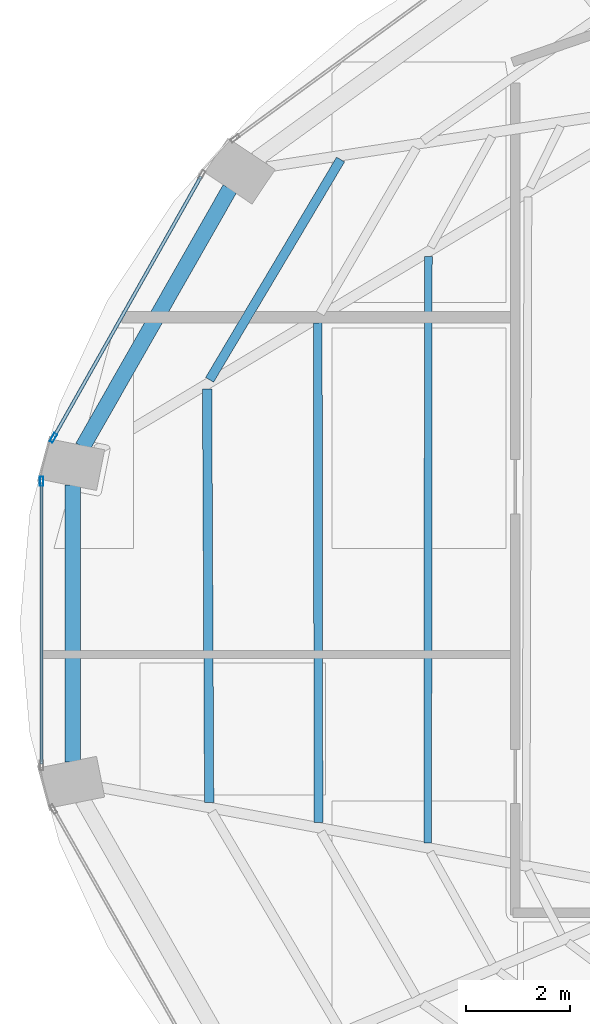
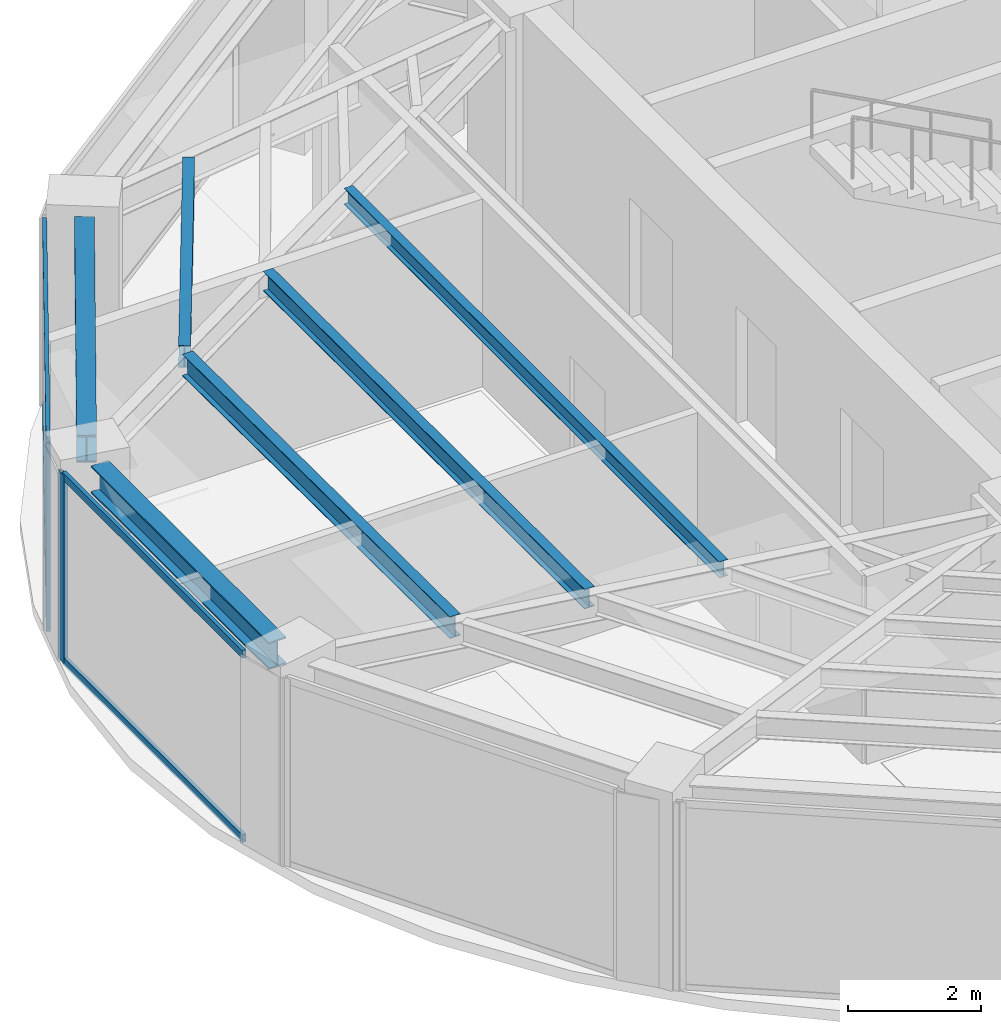
# One storey, part 8 of 23: 6 beams, 6 members, 2 elements without a shape of their own.
"""IFC4 building model written with IfcOpenShell, lengths in metres."""

from ifc_helpers import new_model, si_unit, direction, frame, origin, origin_2d, place, context, subcontext, project, spatial, hollow_rectangle, i_section, extrude, material, layer, layer_set, material_profile, profile_set, type_object, element, aggregate, save


model = new_model("IFC4")

# Units and contexts
model_context = context("Model", 3, precision=1e-05, world=origin(), true_north=direction((0.0, 1.0)))
body_context = subcontext(model_context, "Body", "Model", "MODEL_VIEW")
ifc_project = project(units=[si_unit("LENGTHUNIT", "METRE"), si_unit("AREAUNIT", "SQUARE_METRE"), si_unit("VOLUMEUNIT", "CUBIC_METRE"), si_unit("PLANEANGLEUNIT", "RADIAN"), si_unit("MASSUNIT", "GRAM", prefix="KILO")], contexts=[model_context])

# Site, building, storey
site_placement = place(None, origin())
site = spatial("IfcSite", under=ifc_project, at=site_placement, CompositionType="ELEMENT")
building_placement = place(site_placement, origin())
building = spatial("IfcBuilding", under=site, at=building_placement, Name="Lazwardi Medical Tower", CompositionType="ELEMENT")
storey_placement = place(building_placement, frame((0.0, 0.0, 262.320068359375)))
storey = spatial("IfcBuildingStorey", under=building, at=storey_placement, Name="L68", CompositionType="ELEMENT", Elevation=262.320068359375)

# Beams
ifc_material_1 = material(Name="Steel S355", Category="steel")
ifc_material_profile_1 = material_profile(ifc_material_1, i_section(OverallWidth=0.300048828125, OverallDepth=0.5, WebThickness=0.014404296875, FlangeThickness=0.028076171875, at=origin_2d()), Name="HEB 500")
ifc_profile_set_1 = profile_set([ifc_material_profile_1], Name="Steel S355")
beam_type_1 = type_object("IfcBeamType", Name="BM-RB-Z4", PredefinedType="BEAM", material=ifc_profile_set_1)
beam_1_placement = place(storey_placement, frame((17.84716796875, 33.983642578125, 3.197998046875), z_axis=(-0.495125273299, -0.868821594886, 0.0), x_axis=(0.868821594886, -0.495125273299, 0.0)))
element("IfcBeam", 1, at=beam_1_placement, inside=storey, type_object=beam_type_1, Name="Ring beam RB-05 B11 L68", PredefinedType="BEAM", context=body_context, shape_type="SweptSolid", body=[
    extrude(i_section(OverallWidth=0.300048828125, OverallDepth=0.5, WebThickness=0.014404296875, FlangeThickness=0.028076171875, at=origin_2d()), origin(), (0.0, 0.0, 1.0), 5.734130859375),
])
beam_2_placement = place(storey_placement, frame((14.81494140625, 28.27294921875, 3.197998046875), z_axis=(0.0, -1.0, 0.0), x_axis=(1.0, 0.0, 0.0)))
element("IfcBeam", 2, at=beam_2_placement, inside=storey, type_object=beam_type_1, Name="Ring beam RB-05 B12 L68", PredefinedType="BEAM", context=body_context, shape_type="SweptSolid", body=[
    extrude(i_section(OverallWidth=0.300048828125, OverallDepth=0.5, WebThickness=0.014404296875, FlangeThickness=0.028076171875, at=origin_2d()), origin(), (0.0, 0.0, 1.0), 5.345947265625),
])
ifc_material_profile_2 = material_profile(ifc_material_1, i_section(OverallWidth=0.179931640625, OverallDepth=0.39990234375, WebThickness=0.008544921875, FlangeThickness=0.013427734375, at=origin_2d()), Name="IPE 400")
ifc_profile_set_2 = profile_set([ifc_material_profile_2], Name="Steel S355")
beam_type_2 = type_object("IfcBeamType", Name="BM-SJ-01", PredefinedType="JOIST", material=ifc_profile_set_2)
beam_3_placement = place(storey_placement, frame((19.98095703125, 34.544921875, 3.248046875), z_axis=(-0.510967866251, -0.859599813668, 0.0), x_axis=(0.859599813668, -0.510967866251, 0.0)))
element("IfcBeam", 3, at=beam_3_placement, inside=storey, type_object=beam_type_2, Name="Secondary joist SJ-01 R1 B11 L68", PredefinedType="JOIST", context=body_context, shape_type="SweptSolid", body=[
    extrude(i_section(OverallWidth=0.179931640625, OverallDepth=0.39990234375, WebThickness=0.008544921875, FlangeThickness=0.013427734375, at=origin_2d()), origin(), (0.0, 0.0, 1.0), 4.94189453125),
])
beam_4_placement = place(storey_placement, frame((17.407958984375, 30.120361328125, 3.248046875), z_axis=(0.004929366644, -0.999987850598, 0.0), x_axis=(0.999987850598, 0.004929366644, 0.0)))
element("IfcBeam", 4, at=beam_4_placement, inside=storey, type_object=beam_type_2, Name="Secondary joist SJ-01 R1 B12 L68", PredefinedType="JOIST", context=body_context, shape_type="SweptSolid", body=[
    extrude(i_section(OverallWidth=0.179931640625, OverallDepth=0.39990234375, WebThickness=0.008544921875, FlangeThickness=0.013427734375, at=origin_2d()), origin(), (0.0, 0.0, 1.0), 7.973876953125),
])
ifc_material_profile_3 = material_profile(ifc_material_1, i_section(OverallWidth=0.169921875, OverallDepth=0.360107421875, WebThickness=0.008056640625, FlangeThickness=0.0126953125, at=origin_2d()), Name="IPE 360")
ifc_profile_set_3 = profile_set([ifc_material_profile_3], Name="Steel S355")
beam_type_3 = type_object("IfcBeamType", Name="BM-SJ-02", PredefinedType="JOIST", material=ifc_profile_set_3)
beam_5_placement = place(storey_placement, frame((19.541015625, 31.397705078125, 3.267822265625), z_axis=(0.001367606673, -0.999999064826, 0.0), x_axis=(0.999999064826, 0.001367606673, 0.0)))
element("IfcBeam", 5, at=beam_5_placement, inside=storey, type_object=beam_type_3, Name="Secondary joist SJ-02 R2 B12 L68", PredefinedType="JOIST", context=body_context, shape_type="SweptSolid", body=[
    extrude(i_section(OverallWidth=0.169921875, OverallDepth=0.360107421875, WebThickness=0.008056640625, FlangeThickness=0.0126953125, at=origin_2d()), origin(), (0.0, 0.0, 1.0), 9.639892578125),
])
ifc_material_profile_4 = material_profile(ifc_material_1, i_section(OverallWidth=0.14990234375, OverallDepth=0.300048828125, WebThickness=0.007080078125, FlangeThickness=0.0107421875, at=origin_2d()), Name="IPE 300")
ifc_profile_set_4 = profile_set([ifc_material_profile_4], Name="Steel S355")
beam_type_4 = type_object("IfcBeamType", Name="BM-SJ-03", PredefinedType="JOIST", material=ifc_profile_set_4)
beam_6_placement = place(storey_placement, frame((21.674072265625, 32.67529296875, 3.2978515625), z_axis=(-0.001166079235, -0.999999320129, 0.0), x_axis=(0.999999320129, -0.001166079235, 0.0)))
element("IfcBeam", 6, at=beam_6_placement, inside=storey, type_object=beam_type_4, Name="Secondary joist SJ-03 R3 B12 L68", PredefinedType="JOIST", context=body_context, shape_type="SweptSolid", body=[
    extrude(i_section(OverallWidth=0.14990234375, OverallDepth=0.300048828125, WebThickness=0.007080078125, FlangeThickness=0.0107421875, at=origin_2d()), origin(), (0.0, 0.0, 1.0), 11.305908203125),
])

# Curtain wall, member
ifc_material_2 = material(Name="Anodised bronze aluminium and solar control glazing", Category="aluminium")
ifc_layer = layer(ifc_material_2, 0.18994140625)
ifc_layer_set = layer_set([ifc_layer], Name="Anodised bronze aluminium and solar control glazing")
curtain_wall_type = type_object("IfcCurtainWallType", Name="CW-SYS-04", PredefinedType="NOTDEFINED", material=ifc_layer_set)
curtain_wall_1_placement = place(storey_placement, origin())
curtain_wall_1 = element("IfcCurtainWall", 7, at=curtain_wall_1_placement, inside=storey, type_object=curtain_wall_type, Name="L68 Unitised bronze curtain wall CW-04", PredefinedType="NOTDEFINED")
ifc_material_3 = material(Name="Anodised bronze aluminium", Category="aluminium")
ifc_material_profile_5 = material_profile(ifc_material_3, hollow_rectangle(XDim=0.06494140625, YDim=0.179931640625, WallThickness=0.00390625, at=origin_2d()), Name="ALU-MULLION 180x65x4")
ifc_profile_set_5 = profile_set([ifc_material_profile_5], Name="Anodised bronze aluminium")
member_type_1 = type_object("IfcMemberType", Name="CW-MUL-03", PredefinedType="MULLION", material=ifc_profile_set_5)
member_1_placement = place(storey_placement, frame((14.442626953125, 29.17822265625, 0.0), z_axis=(0.0, 0.0, 1.0), x_axis=(0.870651436011, -0.491900474661, 0.0)))
member_1 = element("IfcMember", 8, at=member_1_placement, type_object=member_type_1, Name="CW-04 mullion 2", PredefinedType="MULLION", context=body_context, shape_type="SweptSolid", body=[
    extrude(hollow_rectangle(XDim=0.06494140625, YDim=0.179931640625, WallThickness=0.00390625, at=origin_2d()), origin(), (0.0, 0.0, 1.0), 3.447998046875),
])

curtain_wall_2_placement = place(storey_placement, origin())
curtain_wall_2 = element("IfcCurtainWall", 9, at=curtain_wall_2_placement, inside=storey, type_object=curtain_wall_type, Name="L68 Unitised bronze curtain wall CW-04", PredefinedType="NOTDEFINED")
member_2_placement = place(storey_placement, frame((14.2158203125, 28.340576171875, 0.0), z_axis=(0.0, 0.0, 1.0), x_axis=(1.0, 0.0, 0.0)))
member_2 = element("IfcMember", 10, at=member_2_placement, type_object=member_type_1, Name="CW-04 mullion 1", PredefinedType="MULLION", context=body_context, shape_type="SweptSolid", body=[
    extrude(hollow_rectangle(XDim=0.06494140625, YDim=0.179931640625, WallThickness=0.00390625, at=origin_2d()), origin(), (0.0, 0.0, 1.0), 3.447998046875),
])

# Member
ifc_material_profile_6 = material_profile(ifc_material_3, hollow_rectangle(XDim=0.06494140625, YDim=0.139892578125, WallThickness=0.00341796875, at=origin_2d()), Name="ALU-TRANSOM 140x65x3.5")
ifc_profile_set_6 = profile_set([ifc_material_profile_6], Name="Anodised bronze aluminium")
member_type_2 = type_object("IfcMemberType", Name="CW-TRN-03", PredefinedType="USERDEFINED", material=ifc_profile_set_6)
member_3_placement = place(storey_placement, frame((17.28955078125, 34.21728515625, 0.032470703125), z_axis=(-0.491879719484, -0.87066316194, 0.0), x_axis=(0.87066316194, -0.491879719484, 0.0)))
member_3 = element("IfcMember", 11, at=member_3_placement, type_object=member_type_2, Name="CW-04 transom 1.1", ObjectType="TRANSOM", PredefinedType="USERDEFINED", context=body_context, shape_type="SweptSolid", body=[
    extrude(hollow_rectangle(XDim=0.06494140625, YDim=0.139892578125, WallThickness=0.00341796875, at=origin_2d()), origin(), (0.0, 0.0, 1.0), 5.755126953125),
])

member_4_placement = place(storey_placement, frame((17.28955078125, 34.21728515625, 3.41552734375), z_axis=(-0.491879719484, -0.87066316194, 0.0), x_axis=(0.87066316194, -0.491879719484, 0.0)))
member_4 = element("IfcMember", 12, at=member_4_placement, type_object=member_type_2, Name="CW-04 transom 1.2", ObjectType="TRANSOM", PredefinedType="USERDEFINED", context=body_context, shape_type="SweptSolid", body=[
    extrude(hollow_rectangle(XDim=0.06494140625, YDim=0.139892578125, WallThickness=0.00341796875, at=origin_2d()), origin(), (0.0, 0.0, 1.0), 5.755126953125),
])

aggregate(curtain_wall_1, [member_1, member_3, member_4])

member_5_placement = place(storey_placement, frame((14.2158203125, 28.30810546875, 0.032470703125), z_axis=(0.0, -1.0, 0.0), x_axis=(1.0, 0.0, 0.0)))
member_5 = element("IfcMember", 13, at=member_5_placement, type_object=member_type_2, Name="CW-04 transom 1.1", ObjectType="TRANSOM", PredefinedType="USERDEFINED", context=body_context, shape_type="SweptSolid", body=[
    extrude(hollow_rectangle(XDim=0.06494140625, YDim=0.139892578125, WallThickness=0.00341796875, at=origin_2d()), origin(), (0.0, 0.0, 1.0), 5.416015625),
])

member_6_placement = place(storey_placement, frame((14.2158203125, 28.30810546875, 3.41552734375), z_axis=(0.0, -1.0, 0.0), x_axis=(1.0, 0.0, 0.0)))
member_6 = element("IfcMember", 14, at=member_6_placement, type_object=member_type_2, Name="CW-04 transom 1.2", ObjectType="TRANSOM", PredefinedType="USERDEFINED", context=body_context, shape_type="SweptSolid", body=[
    extrude(hollow_rectangle(XDim=0.06494140625, YDim=0.139892578125, WallThickness=0.00341796875, at=origin_2d()), origin(), (0.0, 0.0, 1.0), 5.416015625),
])

aggregate(curtain_wall_2, [member_2, member_5, member_6])

save(model, "model.ifc")
